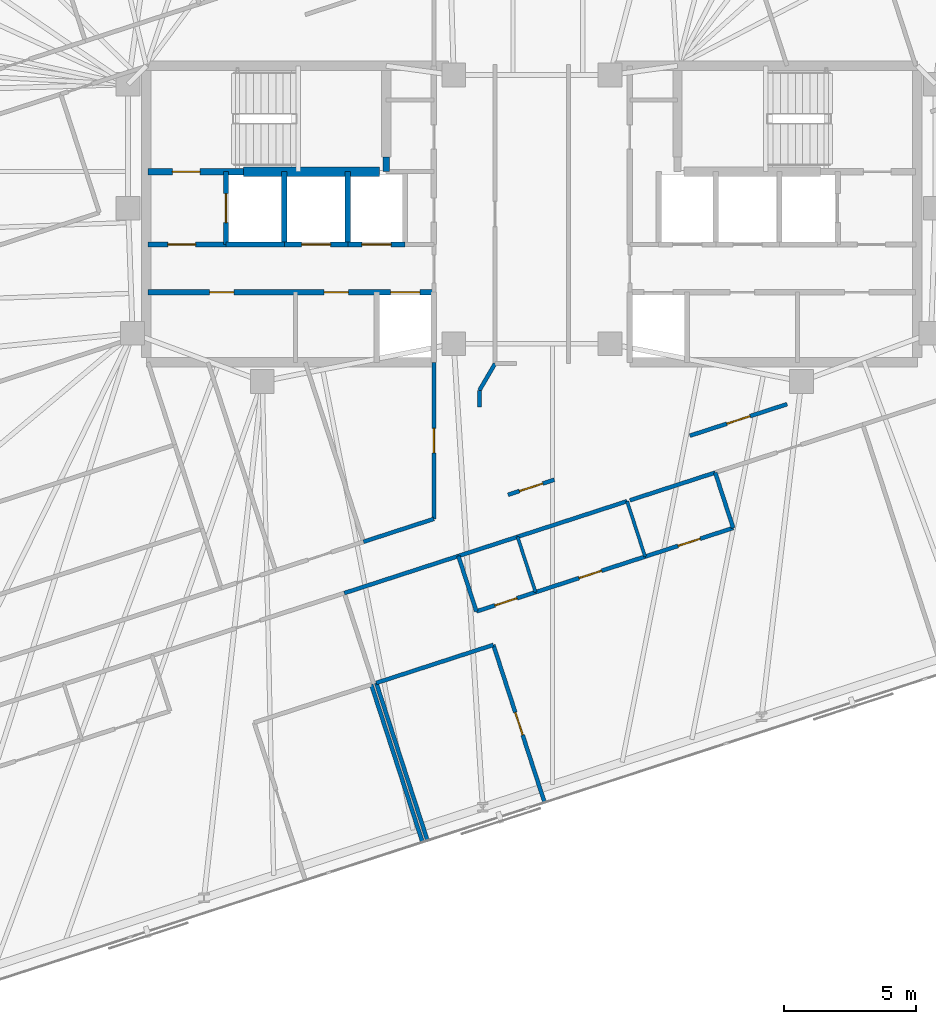
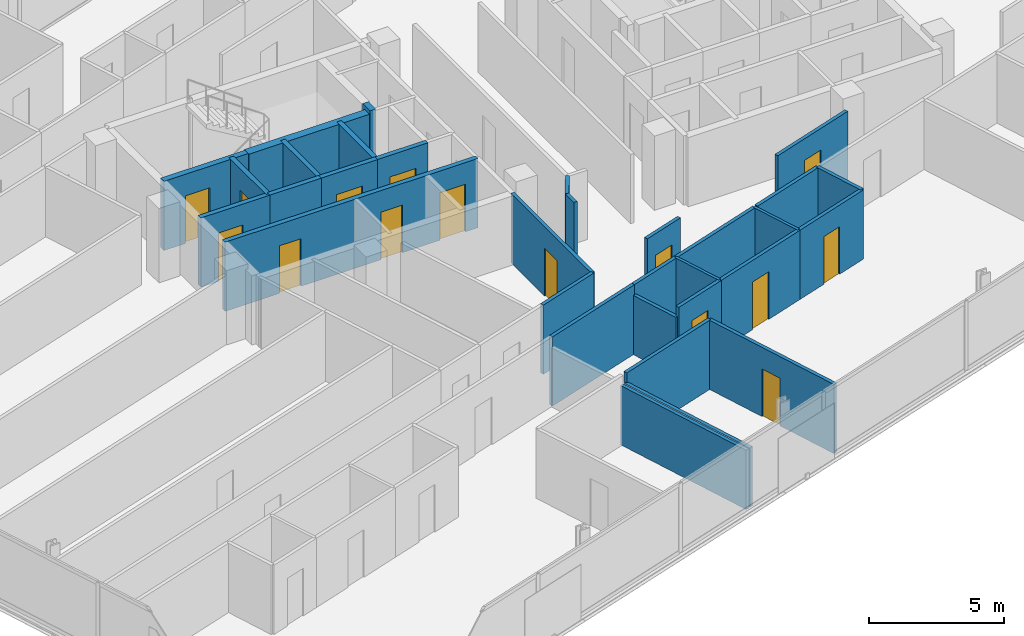
# One storey, part 14 of 20: 32 walls, 15 doors, 15 openings.
"""IFC4 building model written with IfcOpenShell, lengths in metres."""

from ifc_helpers import new_model, si_unit, direction, frame, frame_2d, origin, place, context, subcontext, project, spatial, rectangle, extrude, material, layer, layer_set, type_object, element, fill, save


model = new_model("IFC4")

# Units and contexts
model_context = context("Model", 3, precision=1e-05, world=origin(), true_north=direction((0.0, 1.0)))
body_context = subcontext(model_context, "Body", "Model", "MODEL_VIEW")
ifc_project = project(units=[si_unit("LENGTHUNIT", "METRE"), si_unit("AREAUNIT", "SQUARE_METRE"), si_unit("VOLUMEUNIT", "CUBIC_METRE"), si_unit("PLANEANGLEUNIT", "RADIAN"), si_unit("MASSUNIT", "GRAM", prefix="KILO")], contexts=[model_context])

# Site, building, storey
site_placement = place(None, origin())
site = spatial("IfcSite", under=ifc_project, at=site_placement, CompositionType="ELEMENT")
building_placement = place(site_placement, origin())
building = spatial("IfcBuilding", under=site, at=building_placement, Name="Menara Jurai Vektor", CompositionType="ELEMENT")
storey_placement = place(building_placement, frame((0.0, 0.0, 217.60009765625)))
storey = spatial("IfcBuildingStorey", under=building, at=storey_placement, Name="L57", CompositionType="ELEMENT", Elevation=217.60009765625)

# Wall, opening, door
ifc_material_1 = material(Name="Concrete C40/50", Category="concrete")
ifc_layer_1 = layer(ifc_material_1, 0.25)
ifc_layer_set_1 = layer_set([ifc_layer_1], Name="Concrete C40/50")
wall_type_1 = type_object("IfcWallType", Name="INT-WALL-CORE-250", PredefinedType="STANDARD", material=ifc_layer_set_1)
wall_1_placement = place(storey_placement, frame((-14.5, 1.60009765625, 0.0), z_axis=(0.0, 0.0, 1.0), x_axis=(1.0, 0.0, 0.0)))
wall_1 = element("IfcWall", 1, at=wall_1_placement, inside=storey, type_object=wall_type_1, Name="Interior Wall IW-250 L57", PredefinedType="STANDARD", context=body_context, shape_type="SweptSolid", body=[
    extrude(rectangle(XDim=3.60009765625, YDim=0.25, at=frame_2d((1.800048828125, 0.0))), origin(), (0.0, 0.0, 1.0), 3.125),
])
opening_1_placement = place(wall_1_placement, frame((0.919921875, 0.0, 0.0)))
opening_1 = element("IfcOpeningElement", 2, at=opening_1_placement, cuts=wall_1, Name="Opening D-L57-ST1", PredefinedType="OPENING", context=body_context, shape_type="SweptSolid", body=[
    extrude(rectangle(XDim=1.050048828125, YDim=2.14990234375, at=frame_2d((0.52490234375, 1.074951171875))), frame((0.0, 0.135009765625, 0.0), z_axis=(0.0, -1.0, 0.0), x_axis=(1.0, 0.0, 0.0)), (0.0, 0.0, 1.0), 0.27001953125),
])
ifc_material_2 = material(Name="Fire-Rated Steel Door", Category="steel")
door_type_1 = type_object("IfcDoorType", Name="DR-STAIR-1050", OperationType="NOTDEFINED", PredefinedType="DOOR", material=ifc_material_2)
door_1_placement = place(opening_1_placement, origin())
door_1 = element("IfcDoor", 3, at=door_1_placement, inside=storey, type_object=door_type_1, Name="Exit Stair ST1 Door L57", OperationType="SINGLE_SWING_RIGHT", OverallHeight=2.14990234375, OverallWidth=1.050048828125, PredefinedType="DOOR", context=body_context, shape_type="SweptSolid", body=[
    extrude(rectangle(XDim=1.050048828125, YDim=2.14990234375, at=frame_2d((0.52490234375, 1.074951171875))), frame((0.0, 0.02490234375, 0.0), z_axis=(0.0, -1.0, 0.0), x_axis=(1.0, 0.0, 0.0)), (0.0, 0.0, 1.0), 0.050048828125),
])
fill(opening_1, door_1)

# Wall
wall_2_placement = place(storey_placement, frame((-5.5, 1.60009765625, 0.0), z_axis=(0.0, 0.0, 1.0), x_axis=(0.0, 1.0, 0.0)))
element("IfcWall", 4, at=wall_2_placement, inside=storey, type_object=wall_type_1, Name="Interior Wall IW-250 L57", PredefinedType="STANDARD", context=body_context, shape_type="SweptSolid", body=[
    extrude(rectangle(XDim=0.5498046875, YDim=0.25, at=frame_2d((0.27490234375, 0.0))), origin(), (0.0, 0.0, 1.0), 3.125),
])

# Wall, opening, door
wall_3_placement = place(storey_placement, frame((-11.550048828125, -1.14990234375, 0.0), z_axis=(0.0, 0.0, 1.0), x_axis=(0.0, 1.0, 0.0)))
wall_3 = element("IfcWall", 5, at=wall_3_placement, inside=storey, type_object=wall_type_1, Name="Interior Wall IW-250 L57", PredefinedType="STANDARD", context=body_context, shape_type="SweptSolid", body=[
    extrude(rectangle(XDim=2.75, YDim=0.199951171875, at=frame_2d((1.375, 0.0))), origin(), (0.0, 0.0, 1.0), 3.125),
])
opening_2_placement = place(wall_3_placement, frame((0.824951171875, 0.0, 0.0)))
opening_2 = element("IfcOpeningElement", 6, at=opening_2_placement, cuts=wall_3, Name="Opening LD-L57-FL1", PredefinedType="OPENING", context=body_context, shape_type="SweptSolid", body=[
    extrude(rectangle(XDim=1.10009765625, YDim=2.14990234375, at=frame_2d((0.550048828125, 1.074951171875))), frame((0.0, 0.10986328125, 0.0), z_axis=(0.0, -1.0, 0.0), x_axis=(1.0, 0.0, 0.0)), (0.0, 0.0, 1.0), 0.219970703125),
])
ifc_material_3 = material(Name="Stainless Steel Sliding Lift Landing Door", Category="steel")
door_type_2 = type_object("IfcDoorType", Name="DR-LIFT-FIRE-1100", OperationType="NOTDEFINED", PredefinedType="DOOR", material=ifc_material_3)
door_2_placement = place(opening_2_placement, origin())
door_2 = element("IfcDoor", 7, at=door_2_placement, inside=storey, type_object=door_type_2, Name="Lift Landing Door FL1 L57", OperationType="SLIDING_TO_RIGHT", OverallHeight=2.14990234375, OverallWidth=1.10009765625, PredefinedType="DOOR", context=body_context, shape_type="SweptSolid", body=[
    extrude(rectangle(XDim=1.10009765625, YDim=2.14990234375, at=frame_2d((0.550048828125, 1.074951171875))), frame((0.0, 0.02490234375, 0.0), z_axis=(0.0, -1.0, 0.0), x_axis=(1.0, 0.0, 0.0)), (0.0, 0.0, 1.0), 0.050048828125),
])
fill(opening_2, door_2)

# Wall
wall_4_placement = place(storey_placement, frame((-9.35009765625, -1.14990234375, 0.0), z_axis=(0.0, 0.0, 1.0), x_axis=(0.0, 1.0, 0.0)))
element("IfcWall", 8, at=wall_4_placement, inside=storey, type_object=wall_type_1, Name="Interior Wall IW-250 L57", PredefinedType="STANDARD", context=body_context, shape_type="SweptSolid", body=[
    extrude(rectangle(XDim=2.75, YDim=0.199951171875, at=frame_2d((1.375, 0.0))), origin(), (0.0, 0.0, 1.0), 3.125),
])

# Wall, opening, door
wall_5_placement = place(storey_placement, frame((-14.5, -1.14990234375, 0.0), z_axis=(0.0, 0.0, 1.0), x_axis=(1.0, 0.0, 0.0)))
wall_5 = element("IfcWall", 9, at=wall_5_placement, inside=storey, type_object=wall_type_1, Name="Interior Wall IW-250 L57", PredefinedType="STANDARD", context=body_context, shape_type="SweptSolid", body=[
    extrude(rectangle(XDim=2.949951171875, YDim=0.199951171875, at=frame_2d((1.47509765625, 0.0))), origin(), (0.0, 0.0, 1.0), 3.125),
])
opening_3_placement = place(wall_5_placement, frame((0.75, 0.0, 0.0)))
opening_3 = element("IfcOpeningElement", 10, at=opening_3_placement, cuts=wall_5, Name="Opening D-L57-FFW", PredefinedType="OPENING", context=body_context, shape_type="SweptSolid", body=[
    extrude(rectangle(XDim=1.050048828125, YDim=2.179931640625, at=frame_2d((0.52490234375, 1.08984375))), frame((0.0, 0.10986328125, 0.0), z_axis=(0.0, -1.0, 0.0), x_axis=(1.0, 0.0, 0.0)), (0.0, 0.0, 1.0), 0.219970703125),
])
ifc_material_4 = material(Name="Fire-Rated Timber Door", Category="wood")
door_type_3 = type_object("IfcDoorType", Name="DR-LOBBY-1050", OperationType="NOTDEFINED", PredefinedType="DOOR", material=ifc_material_4)
door_3_placement = place(opening_3_placement, origin())
door_3 = element("IfcDoor", 11, at=door_3_placement, inside=storey, type_object=door_type_3, Name="Fire Lift Lobby Door W L57", OperationType="SINGLE_SWING_RIGHT", OverallHeight=2.179931640625, OverallWidth=1.050048828125, PredefinedType="DOOR", context=body_context, shape_type="SweptSolid", body=[
    extrude(rectangle(XDim=1.050048828125, YDim=2.179931640625, at=frame_2d((0.52490234375, 1.08984375))), frame((0.0, 0.02490234375, 0.0), z_axis=(0.0, -1.0, 0.0), x_axis=(1.0, 0.0, 0.0)), (0.0, 0.0, 1.0), 0.050048828125),
])
fill(opening_3, door_3)

# Walls
wall_6_placement = place(storey_placement, frame((-11.550048828125, -1.14990234375, 0.0), z_axis=(0.0, 0.0, 1.0), x_axis=(1.0, 0.0, 0.0)))
element("IfcWall", 12, at=wall_6_placement, inside=storey, type_object=wall_type_1, Name="Interior Wall IW-250 L57", PredefinedType="STANDARD", context=body_context, shape_type="SweptSolid", body=[
    extrude(rectangle(XDim=2.199951171875, YDim=0.199951171875, at=frame_2d((1.10009765625, 0.0))), origin(), (0.0, 0.0, 1.0), 3.125),
])
ifc_material_5 = material(Name="Gypsum Fireboard Partition", Category="gypsum")
ifc_layer_2 = layer(ifc_material_5, 0.14990234375)
ifc_layer_set_2 = layer_set([ifc_layer_2], Name="Gypsum Fireboard Partition")
wall_type_2 = type_object("IfcWallType", Name="INT-WALL-CORR-150", PredefinedType="PARTITIONING", material=ifc_layer_set_2)
wall_7_placement = place(storey_placement, frame((-7.083251953125, -14.31640625, 0.0), z_axis=(0.0, 0.0, 1.0), x_axis=(0.951054265246, 0.309023922305, 0.0)))
element("IfcWall", 13, at=wall_7_placement, inside=storey, type_object=wall_type_2, Name="Interior Wall IW-150 L57", PredefinedType="PARTITIONING", context=body_context, shape_type="SweptSolid", body=[
    extrude(rectangle(XDim=4.530029296875, YDim=0.14990234375, at=frame_2d((2.26513671875, 0.0))), origin(), (0.0, 0.0, 1.0), 3.125),
])
wall_8_placement = place(storey_placement, frame((-2.77490234375, -12.91650390625, 0.0), z_axis=(0.0, 0.0, 1.0), x_axis=(0.951066131077, 0.308987401554, 0.0)))
element("IfcWall", 14, at=wall_8_placement, inside=storey, type_object=wall_type_2, Name="Interior Wall IW-150 L57", PredefinedType="PARTITIONING", context=body_context, shape_type="SweptSolid", body=[
    extrude(rectangle(XDim=2.349853515625, YDim=0.14990234375, at=frame_2d((1.1748046875, 0.0))), origin(), (0.0, 0.0, 1.0), 3.125),
])
wall_9_placement = place(storey_placement, frame((-0.5400390625, -12.1904296875, 0.0), z_axis=(0.0, 0.0, 1.0), x_axis=(0.951057987102, 0.309012467661, 0.0)))
element("IfcWall", 15, at=wall_9_placement, inside=storey, type_object=wall_type_2, Name="Interior Wall IW-150 L57", PredefinedType="PARTITIONING", context=body_context, shape_type="SweptSolid", body=[
    extrude(rectangle(XDim=4.35009765625, YDim=0.14990234375, at=frame_2d((2.175048828125, 0.0))), origin(), (0.0, 0.0, 1.0), 3.125),
])
wall_10_placement = place(storey_placement, frame((3.69970703125, -10.812744140625, 0.0), z_axis=(0.0, 0.0, 1.0), x_axis=(0.95106685659, 0.308985168408, 0.0)))
element("IfcWall", 16, at=wall_10_placement, inside=storey, type_object=wall_type_2, Name="Interior Wall IW-150 L57", PredefinedType="PARTITIONING", context=body_context, shape_type="SweptSolid", body=[
    extrude(rectangle(XDim=3.39208984375, YDim=0.14990234375, at=frame_2d((1.696044921875, 0.0))), origin(), (0.0, 0.0, 1.0), 3.125),
])

# Wall, opening, door
wall_11_placement = place(storey_placement, frame((5.96875, -8.372314453125, 0.0), z_axis=(0.0, 0.0, 1.0), x_axis=(0.951053123415, 0.309027436391, 0.0)))
wall_11 = element("IfcWall", 17, at=wall_11_placement, inside=storey, type_object=wall_type_2, Name="Interior Wall IW-150 L57", PredefinedType="PARTITIONING", context=body_context, shape_type="SweptSolid", body=[
    extrude(rectangle(XDim=3.860107421875, YDim=0.14990234375, at=frame_2d((1.93017578125, 0.0))), origin(), (0.0, 0.0, 1.0), 3.125),
])
opening_4_placement = place(wall_11_placement, frame((1.469970703125, 0.0, 0.0)))
opening_4 = element("IfcOpeningElement", 18, at=opening_4_placement, cuts=wall_11, Name="Opening D57-43", PredefinedType="OPENING", context=body_context, shape_type="SweptSolid", body=[
    extrude(rectangle(XDim=0.919921875, YDim=2.14990234375, at=frame_2d((0.4599609375, 1.074951171875))), frame((0.0, 0.0849609375, 0.0), z_axis=(0.0, -1.0, 0.0), x_axis=(1.0, 0.0, 0.0)), (0.0, 0.0, 1.0), 0.169921875),
])
ifc_material_6 = material(Name="Solid Core Timber Fire Door", Category="wood")
door_type_4 = type_object("IfcDoorType", Name="DR-ENTRY-950", OperationType="NOTDEFINED", PredefinedType="DOOR", material=ifc_material_6)
door_4_placement = place(opening_4_placement, origin())
door_4 = element("IfcDoor", 19, at=door_4_placement, inside=storey, type_object=door_type_4, Name="Interior Door D57-43", OperationType="SINGLE_SWING_RIGHT", OverallHeight=2.14990234375, OverallWidth=0.919921875, PredefinedType="DOOR", context=body_context, shape_type="SweptSolid", body=[
    extrude(rectangle(XDim=0.919921875, YDim=2.14990234375, at=frame_2d((0.4599609375, 1.074951171875))), frame((0.0, 0.02490234375, 0.0), z_axis=(0.0, -1.0, 0.0), x_axis=(1.0, 0.0, 0.0)), (0.0, 0.0, 1.0), 0.050048828125),
])
fill(opening_4, door_4)

wall_12_placement = place(storey_placement, frame((-0.90087890625, -10.604248046875, 0.0), z_axis=(0.0, 0.0, 1.0), x_axis=(0.951085784807, 0.308926900637, 0.0)))
wall_12 = element("IfcWall", 20, at=wall_12_placement, inside=storey, type_object=wall_type_2, Name="Interior Wall IW-150 L57", PredefinedType="PARTITIONING", context=body_context, shape_type="SweptSolid", body=[
    extrude(rectangle(XDim=1.838134765625, YDim=0.14990234375, at=frame_2d((0.9189453125, 0.0))), origin(), (0.0, 0.0, 1.0), 3.125),
])
opening_5_placement = place(wall_12_placement, frame((0.458984375, 0.0, 0.0)))
opening_5 = element("IfcOpeningElement", 21, at=opening_5_placement, cuts=wall_12, Name="Opening D57-44", PredefinedType="OPENING", context=body_context, shape_type="SweptSolid", body=[
    extrude(rectangle(XDim=0.919921875, YDim=2.14990234375, at=frame_2d((0.4599609375, 1.074951171875))), frame((0.0, 0.0849609375, 0.0), z_axis=(0.0, -1.0, 0.0), x_axis=(1.0, 0.0, 0.0)), (0.0, 0.0, 1.0), 0.169921875),
])
door_5_placement = place(opening_5_placement, origin())
door_5 = element("IfcDoor", 22, at=door_5_placement, inside=storey, type_object=door_type_4, Name="Interior Door D57-44", OperationType="SINGLE_SWING_LEFT", OverallHeight=2.14990234375, OverallWidth=0.919921875, PredefinedType="DOOR", context=body_context, shape_type="SweptSolid", body=[
    extrude(rectangle(XDim=0.919921875, YDim=2.14990234375, at=frame_2d((0.4599609375, 1.074951171875))), frame((0.0, 0.02490234375, 0.0), z_axis=(0.0, -1.0, 0.0), x_axis=(1.0, 0.0, 0.0)), (0.0, 0.0, 1.0), 0.050048828125),
])
fill(opening_5, door_5)

# Walls
wall_13_placement = place(storey_placement, frame((-1.98046875, -7.28125, 0.0), z_axis=(0.0, 0.0, 1.0), x_axis=(0.000784313484, 0.999999692426, 0.0)))
element("IfcWall", 23, at=wall_13_placement, inside=storey, type_object=wall_type_2, Name="Interior Wall IW-150 L57", PredefinedType="PARTITIONING", context=body_context, shape_type="SweptSolid", body=[
    extrude(rectangle(XDim=0.62255859375, YDim=0.14990234375, at=frame_2d((0.311279296875, 0.0))), origin(), (0.0, 0.0, 1.0), 3.125),
])
wall_14_placement = place(storey_placement, frame((-1.97998046875, -6.65869140625, 0.0), z_axis=(0.0, 0.0, 1.0), x_axis=(0.504533622976, 0.863392044952, 0.0)))
element("IfcWall", 24, at=wall_14_placement, inside=storey, type_object=wall_type_2, Name="Interior Wall IW-150 L57", PredefinedType="PARTITIONING", context=body_context, shape_type="SweptSolid", body=[
    extrude(rectangle(XDim=1.168212890625, YDim=0.14990234375, at=frame_2d((0.583984375, 0.0))), origin(), (0.0, 0.0, 1.0), 3.125),
])
wall_15_placement = place(storey_placement, frame((-6.35791015625, -12.37744140625, 0.0), z_axis=(0.0, 0.0, 1.0), x_axis=(0.951049473261, 0.309038669765, 0.0)))
element("IfcWall", 25, at=wall_15_placement, inside=storey, type_object=wall_type_2, Name="Interior Wall IW-150 L57", PredefinedType="PARTITIONING", context=body_context, shape_type="SweptSolid", body=[
    extrude(rectangle(XDim=2.794921875, YDim=0.14990234375, at=frame_2d((1.3974609375, 0.0))), origin(), (0.0, 0.0, 1.0), 3.125),
])

# Wall, opening, door
wall_16_placement = place(storey_placement, frame((-3.69970703125, -11.513671875, 0.0), z_axis=(0.0, 0.0, 1.0), x_axis=(-8.2572974e-05, 0.999999996591, 0.0)))
wall_16 = element("IfcWall", 26, at=wall_16_placement, inside=storey, type_object=wall_type_2, Name="Interior Wall IW-150 L57", PredefinedType="PARTITIONING", context=body_context, shape_type="SweptSolid", body=[
    extrude(rectangle(XDim=5.913330078125, YDim=0.14990234375, at=frame_2d((2.95654296875, 0.0))), origin(), (0.0, 0.0, 1.0), 3.125),
])
opening_6_placement = place(wall_16_placement, frame((2.49658203125, 0.0, 0.0)))
opening_6 = element("IfcOpeningElement", 27, at=opening_6_placement, cuts=wall_16, Name="Opening D57-47", PredefinedType="OPENING", context=body_context, shape_type="SweptSolid", body=[
    extrude(rectangle(XDim=0.919921875, YDim=2.14990234375, at=frame_2d((0.4599609375, 1.074951171875))), frame((0.0, 0.0849609375, 0.0), z_axis=(0.0, -1.0, 0.0), x_axis=(1.0, 0.0, 0.0)), (0.0, 0.0, 1.0), 0.169921875),
])
door_6_placement = place(opening_6_placement, origin())
door_6 = element("IfcDoor", 28, at=door_6_placement, inside=storey, type_object=door_type_4, Name="Interior Door D57-47", OperationType="SINGLE_SWING_RIGHT", OverallHeight=2.14990234375, OverallWidth=0.919921875, PredefinedType="DOOR", context=body_context, shape_type="SweptSolid", body=[
    extrude(rectangle(XDim=0.919921875, YDim=2.14990234375, at=frame_2d((0.4599609375, 1.074951171875))), frame((0.0, 0.02490234375, 0.0), z_axis=(0.0, -1.0, 0.0), x_axis=(1.0, 0.0, 0.0)), (0.0, 0.0, 1.0), 0.050048828125),
])
fill(opening_6, door_6)

wall_17_placement = place(storey_placement, frame((-2.09521484375, -15.0087890625, 0.0), z_axis=(0.0, 0.0, 1.0), x_axis=(0.951076048914, 0.308956872689, 0.0)))
wall_17 = element("IfcWall", 29, at=wall_17_placement, inside=storey, type_object=wall_type_2, Name="Interior Wall IW-150 L57", PredefinedType="PARTITIONING", context=body_context, shape_type="SweptSolid", body=[
    extrude(rectangle(XDim=2.35009765625, YDim=0.14990234375, at=frame_2d((1.175048828125, 0.0))), origin(), (0.0, 0.0, 1.0), 3.125),
])
opening_7_placement = place(wall_17_placement, frame((0.735107421875, 0.0, 0.0)))
opening_7 = element("IfcOpeningElement", 30, at=opening_7_placement, cuts=wall_17, Name="Opening D57-30", PredefinedType="OPENING", context=body_context, shape_type="SweptSolid", body=[
    extrude(rectangle(XDim=0.8798828125, YDim=2.14990234375, at=frame_2d((0.43994140625, 1.074951171875))), frame((0.0, 0.0849609375, 0.0), z_axis=(0.0, -1.0, 0.0), x_axis=(1.0, 0.0, 0.0)), (0.0, 0.0, 1.0), 0.169921875),
])
ifc_material_7 = material(Name="Moisture-Resistant Timber Door", Category="wood")
door_type_5 = type_object("IfcDoorType", Name="DR-BATH-880", OperationType="NOTDEFINED", PredefinedType="DOOR", material=ifc_material_7)
door_7_placement = place(opening_7_placement, origin())
door_7 = element("IfcDoor", 31, at=door_7_placement, inside=storey, type_object=door_type_5, Name="Interior Door D57-30", OperationType="SINGLE_SWING_LEFT", OverallHeight=2.14990234375, OverallWidth=0.8798828125, PredefinedType="DOOR", context=body_context, shape_type="SweptSolid", body=[
    extrude(rectangle(XDim=0.8798828125, YDim=2.14990234375, at=frame_2d((0.43994140625, 1.074951171875))), frame((0.0, 0.02490234375, 0.0), z_axis=(0.0, -1.0, 0.0), x_axis=(1.0, 0.0, 0.0)), (0.0, 0.0, 1.0), 0.050048828125),
])
fill(opening_7, door_7)

wall_18_placement = place(storey_placement, frame((0.139892578125, -14.28271484375, 0.0), z_axis=(0.0, 0.0, 1.0), x_axis=(0.951057987102, 0.309012467661, 0.0)))
wall_18 = element("IfcWall", 32, at=wall_18_placement, inside=storey, type_object=wall_type_2, Name="Interior Wall IW-150 L57", PredefinedType="PARTITIONING", context=body_context, shape_type="SweptSolid", body=[
    extrude(rectangle(XDim=4.35009765625, YDim=0.14990234375, at=frame_2d((2.175048828125, 0.0))), origin(), (0.0, 0.0, 1.0), 3.125),
])
opening_8_placement = place(wall_18_placement, frame((1.72509765625, 0.0, 0.0)))
opening_8 = element("IfcOpeningElement", 33, at=opening_8_placement, cuts=wall_18, Name="Opening D57-31", PredefinedType="OPENING", context=body_context, shape_type="SweptSolid", body=[
    extrude(rectangle(XDim=0.89990234375, YDim=2.14990234375, at=frame_2d((0.449951171875, 1.074951171875))), frame((0.0, 0.0849609375, 0.0), z_axis=(0.0, -1.0, 0.0), x_axis=(1.0, 0.0, 0.0)), (0.0, 0.0, 1.0), 0.169921875),
])
ifc_material_8 = material(Name="Acoustic Timber Interior Door", Category="wood")
door_type_6 = type_object("IfcDoorType", Name="DR-ROOM-900", OperationType="NOTDEFINED", PredefinedType="DOOR", material=ifc_material_8)
door_8_placement = place(opening_8_placement, origin())
door_8 = element("IfcDoor", 34, at=door_8_placement, inside=storey, type_object=door_type_6, Name="Interior Door D57-31", OperationType="SINGLE_SWING_RIGHT", OverallHeight=2.14990234375, OverallWidth=0.89990234375, PredefinedType="DOOR", context=body_context, shape_type="SweptSolid", body=[
    extrude(rectangle(XDim=0.89990234375, YDim=2.14990234375, at=frame_2d((0.449951171875, 1.074951171875))), frame((0.0, 0.02490234375, 0.0), z_axis=(0.0, -1.0, 0.0), x_axis=(1.0, 0.0, 0.0)), (0.0, 0.0, 1.0), 0.050048828125),
])
fill(opening_8, door_8)

wall_19_placement = place(storey_placement, frame((4.277099609375, -12.9384765625, 0.0), z_axis=(0.0, 0.0, 1.0), x_axis=(0.951055596592, 0.309019824916, 0.0)))
wall_19 = element("IfcWall", 35, at=wall_19_placement, inside=storey, type_object=wall_type_2, Name="Interior Wall IW-150 L57", PredefinedType="PARTITIONING", context=body_context, shape_type="SweptSolid", body=[
    extrude(rectangle(XDim=3.5, YDim=0.14990234375, at=frame_2d((1.75, 0.0))), origin(), (0.0, 0.0, 1.0), 3.125),
])
opening_9_placement = place(wall_19_placement, frame((1.31005859375, 0.0, 0.0)))
opening_9 = element("IfcOpeningElement", 36, at=opening_9_placement, cuts=wall_19, Name="Opening D57-32", PredefinedType="OPENING", context=body_context, shape_type="SweptSolid", body=[
    extrude(rectangle(XDim=0.8798828125, YDim=2.14990234375, at=frame_2d((0.43994140625, 1.074951171875))), frame((0.0, 0.0849609375, 0.0), z_axis=(0.0, -1.0, 0.0), x_axis=(1.0, 0.0, 0.0)), (0.0, 0.0, 1.0), 0.169921875),
])
door_9_placement = place(opening_9_placement, origin())
door_9 = element("IfcDoor", 37, at=door_9_placement, inside=storey, type_object=door_type_5, Name="Interior Door D57-32", OperationType="SINGLE_SWING_LEFT", OverallHeight=2.14990234375, OverallWidth=0.8798828125, PredefinedType="DOOR", context=body_context, shape_type="SweptSolid", body=[
    extrude(rectangle(XDim=0.8798828125, YDim=2.14990234375, at=frame_2d((0.43994140625, 1.074951171875))), frame((0.0, 0.02490234375, 0.0), z_axis=(0.0, -1.0, 0.0), x_axis=(1.0, 0.0, 0.0)), (0.0, 0.0, 1.0), 0.050048828125),
])
fill(opening_9, door_9)

# Walls
wall_20_placement = place(storey_placement, frame((7.605712890625, -11.85693359375, 0.0), z_axis=(0.0, 0.0, 1.0), x_axis=(-0.309060979314, 0.951042223598, 0.0)))
element("IfcWall", 38, at=wall_20_placement, inside=storey, type_object=wall_type_2, Name="Interior Wall IW-150 L57", PredefinedType="PARTITIONING", context=body_context, shape_type="SweptSolid", body=[
    extrude(rectangle(XDim=2.199951171875, YDim=0.14990234375, at=frame_2d((1.10009765625, 0.0))), origin(), (0.0, 0.0, 1.0), 3.125),
])
wall_21_placement = place(storey_placement, frame((-5.875732421875, -17.709228515625, 0.0), z_axis=(0.0, 0.0, 1.0), x_axis=(0.951065702951, 0.308988719326, 0.0)))
element("IfcWall", 39, at=wall_21_placement, inside=storey, type_object=wall_type_2, Name="Interior Wall IW-150 L57", PredefinedType="PARTITIONING", context=body_context, shape_type="SweptSolid", body=[
    extrude(rectangle(XDim=4.64990234375, YDim=0.14990234375, at=frame_2d((2.324951171875, 0.0))), origin(), (0.0, 0.0, 1.0), 3.125),
])

# Wall, opening, door
wall_22_placement = place(storey_placement, frame((0.481689453125, -22.227783203125, 0.0), z_axis=(0.0, 0.0, 1.0), x_axis=(-0.30902524124, 0.951053836687, 0.0)))
wall_22 = element("IfcWall", 40, at=wall_22_placement, inside=storey, type_object=wall_type_2, Name="Interior Wall IW-150 L57", PredefinedType="PARTITIONING", context=body_context, shape_type="SweptSolid", body=[
    extrude(rectangle(XDim=6.26171875, YDim=0.14990234375, at=frame_2d((3.130859375, 0.0))), origin(), (0.0, 0.0, 1.0), 3.125),
])
opening_10_placement = place(wall_22_placement, frame((2.680908203125, 0.0, 0.0)))
opening_10 = element("IfcOpeningElement", 41, at=opening_10_placement, cuts=wall_22, Name="Opening D57-33", PredefinedType="OPENING", context=body_context, shape_type="SweptSolid", body=[
    extrude(rectangle(XDim=0.89990234375, YDim=2.14990234375, at=frame_2d((0.449951171875, 1.074951171875))), frame((0.0, 0.0849609375, 0.0), z_axis=(0.0, -1.0, 0.0), x_axis=(1.0, 0.0, 0.0)), (0.0, 0.0, 1.0), 0.169921875),
])
door_10_placement = place(opening_10_placement, origin())
door_10 = element("IfcDoor", 42, at=door_10_placement, inside=storey, type_object=door_type_6, Name="Interior Door D57-33", OperationType="SINGLE_SWING_RIGHT", OverallHeight=2.14990234375, OverallWidth=0.89990234375, PredefinedType="DOOR", context=body_context, shape_type="SweptSolid", body=[
    extrude(rectangle(XDim=0.89990234375, YDim=2.14990234375, at=frame_2d((0.449951171875, 1.074951171875))), frame((0.0, 0.02490234375, 0.0), z_axis=(0.0, -1.0, 0.0), x_axis=(1.0, 0.0, 0.0)), (0.0, 0.0, 1.0), 0.050048828125),
])
fill(opening_10, door_10)

# Walls
ifc_layer_3 = layer(ifc_material_5, 0.14990234375)
ifc_layer_set_3 = layer_set([ifc_layer_3], Name="Gypsum Fireboard Partition")
wall_type_3 = type_object("IfcWallType", Name="INT-WALL-CORR-150-H1", PredefinedType="PARTITIONING", material=ifc_layer_set_3)
wall_23_placement = place(storey_placement, frame((-4.130859375, -23.7265625, 0.0), z_axis=(0.0, 0.0, 1.0), x_axis=(-0.309013782848, 0.951057559777, 0.0)))
element("IfcWall", 43, at=wall_23_placement, inside=storey, type_object=wall_type_3, Name="Interior Wall IW-150 L57", PredefinedType="PARTITIONING", context=body_context, shape_type="SweptSolid", body=[
    extrude(rectangle(XDim=6.261962890625, YDim=0.14990234375, at=frame_2d((3.130859375, 0.0))), origin(), (0.0, 0.0, 1.0), 2.6748046875),
])
wall_24_placement = place(storey_placement, frame((-2.09521484375, -15.0087890625, 0.0), z_axis=(0.0, 0.0, 1.0), x_axis=(-0.308960600764, 0.951074837842, 0.0)))
element("IfcWall", 44, at=wall_24_placement, inside=storey, type_object=wall_type_3, Name="Interior Wall IW-150 L57", PredefinedType="PARTITIONING", context=body_context, shape_type="SweptSolid", body=[
    extrude(rectangle(XDim=2.199951171875, YDim=0.14990234375, at=frame_2d((1.10009765625, 0.0))), origin(), (0.0, 0.0, 1.0), 2.6748046875),
])
wall_25_placement = place(storey_placement, frame((-3.940673828125, -23.664794921875, 0.0), z_axis=(0.0, 0.0, 1.0), x_axis=(-0.309013782848, 0.951057559777, 0.0)))
element("IfcWall", 45, at=wall_25_placement, inside=storey, type_object=wall_type_3, Name="Interior Wall IW-150 L57", PredefinedType="PARTITIONING", context=body_context, shape_type="SweptSolid", body=[
    extrude(rectangle(XDim=6.261962890625, YDim=0.14990234375, at=frame_2d((3.130859375, 0.0))), origin(), (0.0, 0.0, 1.0), 2.6748046875),
])
ifc_material_9 = material(Name="Gypsum Acoustic Stud Partition", Category="gypsum")
ifc_layer_4 = layer(ifc_material_9, 0.1201171875)
ifc_layer_set_4 = layer_set([ifc_layer_4], Name="Gypsum Acoustic Stud Partition")
wall_type_4 = type_object("IfcWallType", Name="INT-WALL-PART-120", PredefinedType="PARTITIONING", material=ifc_layer_set_4)
for number, where, z_axis, x_axis, name in (
    (46, (0.139892578125, -14.28271484375, 0.0), (0.0, 0.0, 1.0), (-0.309060979314, 0.951042223598, 0.0), "Interior Wall IW-120 L57"),
    (47, (4.277099609375, -12.9384765625, 0.0), (0.0, 0.0, 1.0), (-0.309060979314, 0.951042223598, 0.0), "Interior Wall IW-120 L57"),
):
    element("IfcWall", number, at=place(storey_placement, frame(where, z_axis=z_axis, x_axis=x_axis)), inside=storey, type_object=wall_type_4, Name=name, PredefinedType="PARTITIONING", context=body_context, shape_type="SweptSolid", body=[
        extrude(rectangle(XDim=2.199951171875, YDim=0.1201171875, at=frame_2d((1.10009765625, 0.0))), origin(), (0.0, 0.0, 1.0), 3.125),
    ])
ifc_layer_5 = layer(ifc_material_1, 0.199951171875)
ifc_layer_set_5 = layer_set([ifc_layer_5], Name="Concrete C40/50")
wall_type_5 = type_object("IfcWallType", Name="INT-WALL-SHAFT-200", PredefinedType="STANDARD", material=ifc_layer_set_5)
wall_26_placement = place(storey_placement, frame((-6.949951171875, -1.14990234375, 0.0), z_axis=(0.0, 0.0, 1.0), x_axis=(0.0, 1.0, 0.0)))
element("IfcWall", 48, at=wall_26_placement, inside=storey, type_object=wall_type_5, Name="Interior Wall IW-200 L57", PredefinedType="STANDARD", context=body_context, shape_type="SweptSolid", body=[
    extrude(rectangle(XDim=2.75, YDim=0.199951171875, at=frame_2d((1.375, 0.0))), origin(), (0.0, 0.0, 1.0), 3.125),
])

# Wall, opening, door
wall_27_placement = place(storey_placement, frame((-9.35009765625, -1.14990234375, 0.0), z_axis=(0.0, 0.0, 1.0), x_axis=(1.0, 0.0, 0.0)))
wall_27 = element("IfcWall", 49, at=wall_27_placement, inside=storey, type_object=wall_type_5, Name="Interior Wall IW-200 L57", PredefinedType="STANDARD", context=body_context, shape_type="SweptSolid", body=[
    extrude(rectangle(XDim=2.400146484375, YDim=0.199951171875, at=frame_2d((1.2001953125, 0.0))), origin(), (0.0, 0.0, 1.0), 3.125),
])
opening_11_placement = place(wall_27_placement, frame((0.64990234375, 0.0, 0.0)))
opening_11 = element("IfcOpeningElement", 50, at=opening_11_placement, cuts=wall_27, Name="Opening LD-L57-SVL1", PredefinedType="OPENING", context=body_context, shape_type="SweptSolid", body=[
    extrude(rectangle(XDim=1.10009765625, YDim=2.14990234375, at=frame_2d((0.550048828125, 1.074951171875))), frame((0.0, 0.10986328125, 0.0), z_axis=(0.0, -1.0, 0.0), x_axis=(1.0, 0.0, 0.0)), (0.0, 0.0, 1.0), 0.219970703125),
])
ifc_material_10 = material(Name="Anodised Stainless Sliding Lift Landing Door", Category="steel")
door_type_7 = type_object("IfcDoorType", Name="DR-LIFT-PASS-1100", OperationType="NOTDEFINED", PredefinedType="DOOR", material=ifc_material_10)
door_11_placement = place(opening_11_placement, origin())
door_11 = element("IfcDoor", 51, at=door_11_placement, inside=storey, type_object=door_type_7, Name="Lift Landing Door SVL1 L57", OperationType="SLIDING_TO_RIGHT", OverallHeight=2.14990234375, OverallWidth=1.10009765625, PredefinedType="DOOR", context=body_context, shape_type="SweptSolid", body=[
    extrude(rectangle(XDim=1.10009765625, YDim=2.14990234375, at=frame_2d((0.550048828125, 1.074951171875))), frame((0.0, 0.02490234375, 0.0), z_axis=(0.0, -1.0, 0.0), x_axis=(1.0, 0.0, 0.0)), (0.0, 0.0, 1.0), 0.050048828125),
])
fill(opening_11, door_11)

wall_28_placement = place(storey_placement, frame((-6.949951171875, -1.14990234375, 0.0), z_axis=(0.0, 0.0, 1.0), x_axis=(1.0, 0.0, 0.0)))
wall_28 = element("IfcWall", 52, at=wall_28_placement, inside=storey, type_object=wall_type_5, Name="Interior Wall IW-200 L57", PredefinedType="STANDARD", context=body_context, shape_type="SweptSolid", body=[
    extrude(rectangle(XDim=2.159912109375, YDim=0.199951171875, at=frame_2d((1.080078125, 0.0))), origin(), (0.0, 0.0, 1.0), 3.125),
])
opening_12_placement = place(wall_28_placement, frame((0.530029296875, 0.0, 0.0)))
opening_12 = element("IfcOpeningElement", 53, at=opening_12_placement, cuts=wall_28, Name="Opening LD-L57-PH2", PredefinedType="OPENING", context=body_context, shape_type="SweptSolid", body=[
    extrude(rectangle(XDim=1.10009765625, YDim=2.14990234375, at=frame_2d((0.550048828125, 1.074951171875))), frame((0.0, 0.10986328125, 0.0), z_axis=(0.0, -1.0, 0.0), x_axis=(1.0, 0.0, 0.0)), (0.0, 0.0, 1.0), 0.219970703125),
])
door_12_placement = place(opening_12_placement, origin())
door_12 = element("IfcDoor", 54, at=door_12_placement, inside=storey, type_object=door_type_7, Name="Lift Landing Door PH2 L57", OperationType="SLIDING_TO_RIGHT", OverallHeight=2.14990234375, OverallWidth=1.10009765625, PredefinedType="DOOR", context=body_context, shape_type="SweptSolid", body=[
    extrude(rectangle(XDim=1.10009765625, YDim=2.14990234375, at=frame_2d((0.550048828125, 1.074951171875))), frame((0.0, 0.02490234375, 0.0), z_axis=(0.0, -1.0, 0.0), x_axis=(1.0, 0.0, 0.0)), (0.0, 0.0, 1.0), 0.050048828125),
])
fill(opening_12, door_12)

# Wall, openings, doors
wall_29_placement = place(storey_placement, frame((-14.5, -2.949951171875, 0.0), z_axis=(0.0, 0.0, 1.0), x_axis=(1.0, 0.0, 0.0)))
wall_29 = element("IfcWall", 55, at=wall_29_placement, inside=storey, type_object=wall_type_5, Name="Interior Wall IW-200 L57", PredefinedType="STANDARD", context=body_context, shape_type="SweptSolid", body=[
    extrude(rectangle(XDim=10.800048828125, YDim=0.199951171875, at=frame_2d((5.39990234375, 0.0))), origin(), (0.0, 0.0, 1.0), 3.125),
])
opening_13_placement = place(wall_29_placement, frame((9.169921875, 0.0, 0.0)))
opening_13 = element("IfcOpeningElement", 56, at=opening_13_placement, cuts=wall_29, Name="Opening LD-L57-PH1", PredefinedType="OPENING", context=body_context, shape_type="SweptSolid", body=[
    extrude(rectangle(XDim=1.10009765625, YDim=2.14990234375, at=frame_2d((0.550048828125, 1.074951171875))), frame((0.0, 0.10986328125, 0.0), z_axis=(0.0, -1.0, 0.0), x_axis=(1.0, 0.0, 0.0)), (0.0, 0.0, 1.0), 0.219970703125),
])
opening_14_placement = place(wall_29_placement, frame((2.330078125, 0.0, 0.0)))
opening_14 = element("IfcOpeningElement", 57, at=opening_14_placement, cuts=wall_29, Name="Opening D57-01", PredefinedType="OPENING", context=body_context, shape_type="SweptSolid", body=[
    extrude(rectangle(XDim=0.919921875, YDim=2.14990234375, at=frame_2d((0.4599609375, 1.074951171875))), frame((0.0, 0.10986328125, 0.0), z_axis=(0.0, -1.0, 0.0), x_axis=(1.0, 0.0, 0.0)), (0.0, 0.0, 1.0), 0.219970703125),
])
opening_15_placement = place(wall_29_placement, frame((6.64990234375, 0.0, 0.0)))
opening_15 = element("IfcOpeningElement", 58, at=opening_15_placement, cuts=wall_29, Name="Opening D57-02", PredefinedType="OPENING", context=body_context, shape_type="SweptSolid", body=[
    extrude(rectangle(XDim=0.919921875, YDim=2.14990234375, at=frame_2d((0.4599609375, 1.074951171875))), frame((0.0, 0.10986328125, 0.0), z_axis=(0.0, -1.0, 0.0), x_axis=(1.0, 0.0, 0.0)), (0.0, 0.0, 1.0), 0.219970703125),
])
door_13_placement = place(opening_14_placement, origin())
door_13 = element("IfcDoor", 59, at=door_13_placement, inside=storey, type_object=door_type_4, Name="Interior Door D57-01", OperationType="SINGLE_SWING_LEFT", OverallHeight=2.14990234375, OverallWidth=0.919921875, PredefinedType="DOOR", context=body_context, shape_type="SweptSolid", body=[
    extrude(rectangle(XDim=0.919921875, YDim=2.14990234375, at=frame_2d((0.4599609375, 1.074951171875))), frame((0.0, 0.02490234375, 0.0), z_axis=(0.0, -1.0, 0.0), x_axis=(1.0, 0.0, 0.0)), (0.0, 0.0, 1.0), 0.050048828125),
])
fill(opening_14, door_13)
door_14_placement = place(opening_15_placement, origin())
door_14 = element("IfcDoor", 60, at=door_14_placement, inside=storey, type_object=door_type_4, Name="Interior Door D57-02", OperationType="SINGLE_SWING_RIGHT", OverallHeight=2.14990234375, OverallWidth=0.919921875, PredefinedType="DOOR", context=body_context, shape_type="SweptSolid", body=[
    extrude(rectangle(XDim=0.919921875, YDim=2.14990234375, at=frame_2d((0.4599609375, 1.074951171875))), frame((0.0, 0.02490234375, 0.0), z_axis=(0.0, -1.0, 0.0), x_axis=(1.0, 0.0, 0.0)), (0.0, 0.0, 1.0), 0.050048828125),
])
fill(opening_15, door_14)
door_15_placement = place(opening_13_placement, origin())
door_15 = element("IfcDoor", 61, at=door_15_placement, inside=storey, type_object=door_type_7, Name="Lift Landing Door PH1 L57", OperationType="SLIDING_TO_RIGHT", OverallHeight=2.14990234375, OverallWidth=1.10009765625, PredefinedType="DOOR", context=body_context, shape_type="SweptSolid", body=[
    extrude(rectangle(XDim=1.10009765625, YDim=2.14990234375, at=frame_2d((0.550048828125, 1.074951171875))), frame((0.0, 0.02490234375, 0.0), z_axis=(0.0, -1.0, 0.0), x_axis=(1.0, 0.0, 0.0)), (0.0, 0.0, 1.0), 0.050048828125),
])
fill(opening_13, door_15)

# Wall
ifc_material_11 = material(Name="Concrete C50/60", Category="concrete")
ifc_layer_6 = layer(ifc_material_11, 0.35009765625)
ifc_layer_set_6 = layer_set([ifc_layer_6], Name="Concrete C50/60")
wall_type_6 = type_object("IfcWallType", Name="STR-WALL-CORE350", PredefinedType="SHEAR", material=ifc_layer_set_6)
wall_30_placement = place(storey_placement, frame((-10.89990234375, 1.60009765625, 0.0), z_axis=(0.0, 0.0, 1.0), x_axis=(1.0, 0.0, 0.0)))
element("IfcWall", 62, at=wall_30_placement, inside=storey, type_object=wall_type_6, Name="Core Shear Wall CW-W-STS L57", PredefinedType="SHEAR", context=body_context, shape_type="SweptSolid", body=[
    extrude(rectangle(XDim=5.14990234375, YDim=0.35009765625, at=frame_2d((2.574951171875, 0.0))), origin(), (0.0, 0.0, 1.0), 3.125),
])

save(model, "model.ifc")
